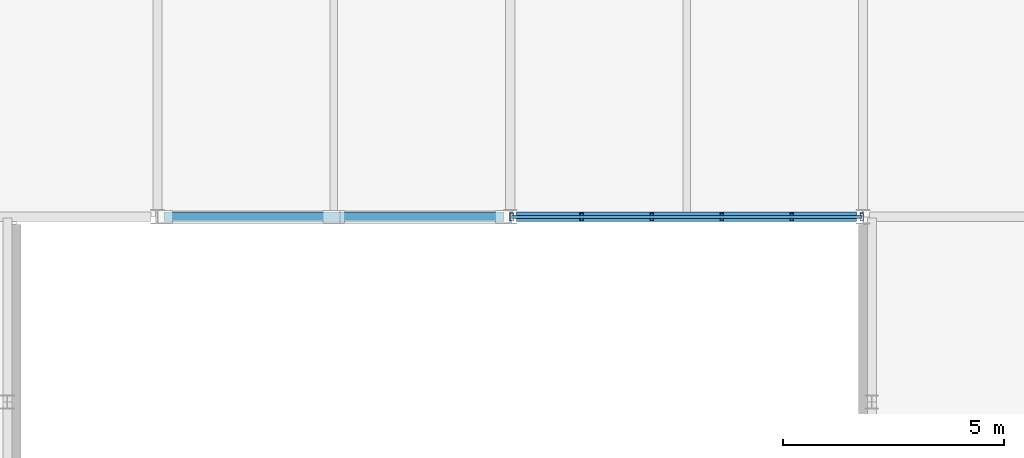
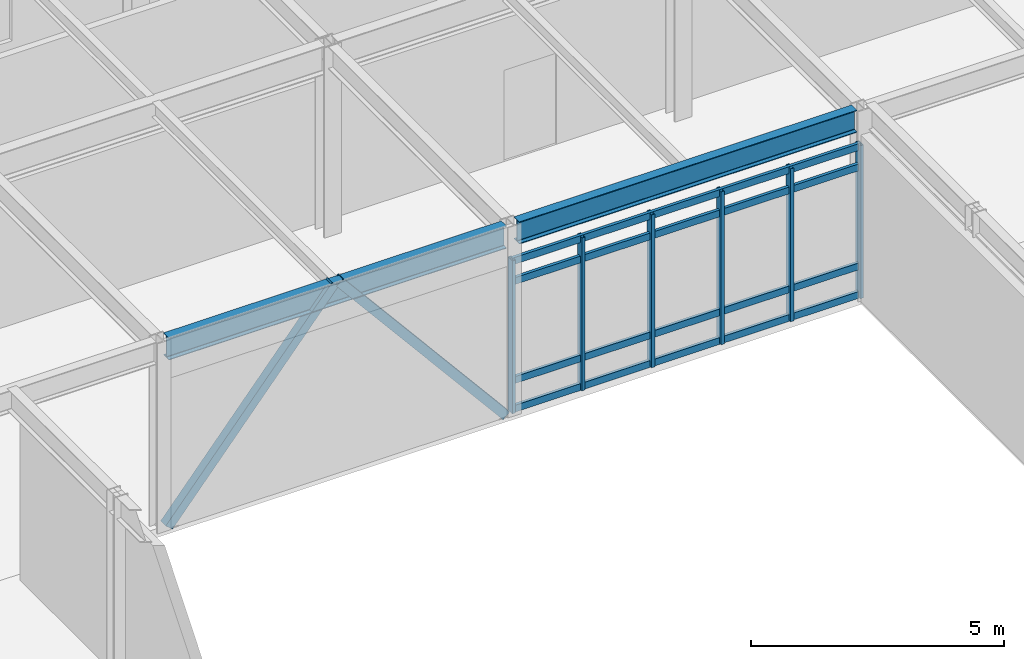
# One storey, part 31 of 104: 12 members, 2 beams, 1 element without a shape of its own.
"""IFC4 building model written with IfcOpenShell, lengths in metres."""

from ifc_helpers import new_model, si_unit, direction, frame, origin, origin_2d, place, context, subcontext, project, spatial, hollow_rectangle, i_section, extrude, material, material_profile, profile_set, type_object, element, aggregate, save


model = new_model("IFC4")

# Units and contexts
model_context = context("Model", 3, precision=1e-05, world=origin(), true_north=direction((0.0, 1.0)))
body_context = subcontext(model_context, "Body", "Model", "MODEL_VIEW")
ifc_project = project(units=[si_unit("LENGTHUNIT", "METRE"), si_unit("AREAUNIT", "SQUARE_METRE"), si_unit("VOLUMEUNIT", "CUBIC_METRE"), si_unit("PLANEANGLEUNIT", "RADIAN"), si_unit("MASSUNIT", "GRAM", prefix="KILO")], contexts=[model_context])

# Site, building, storey
site_placement = place(None, origin())
site = spatial("IfcSite", under=ifc_project, at=site_placement, CompositionType="ELEMENT")
building_placement = place(site_placement, origin())
building = spatial("IfcBuilding", under=site, at=building_placement, Name="Zulena Civic Courthouse", CompositionType="ELEMENT")
storey_placement = place(building_placement, frame((0.0, 0.0, 10.800048828125)))
storey = spatial("IfcBuildingStorey", under=building, at=storey_placement, Name="L02", CompositionType="ELEMENT", Elevation=10.800048828125)

# Members
ifc_material_1 = material(Name="Steel ASTM A500 Grade C", Category="steel")
ifc_material_profile_1 = material_profile(ifc_material_1, hollow_rectangle(XDim=0.202880859375, YDim=0.202880859375, WallThickness=0.01171875, at=origin_2d()), Name="HSS8X8X1/2")
ifc_profile_set_1 = profile_set([ifc_material_profile_1], Name="Steel ASTM A500 Grade C")
member_type_1 = type_object("IfcMemberType", Name="Brace_HSS8", PredefinedType="BRACE", material=ifc_profile_set_1)
for number, where, z_axis, x_axis, name in (
    (1, (36.14990234375, 46.0, 0.010009765625), (0.641014438311, 0.0, 0.767528820225), (0.0, 1.0, 0.0), "brace:V5:L02:5:0"),
    (2, (43.85009765625, 46.0, 0.010009765625), (-0.641014438311, 0.0, 0.767528820225), (0.0, -1.0, 0.0), "brace:V5:L02:5:1"),
):
    element("IfcMember", number, at=place(storey_placement, frame(where, z_axis=z_axis, x_axis=x_axis)), inside=storey, type_object=member_type_1, Name=name, PredefinedType="BRACE", context=body_context, shape_type="SweptSolid", body=[
        extrude(hollow_rectangle(XDim=0.202880859375, YDim=0.202880859375, WallThickness=0.01171875, at=origin_2d()), origin(), (0.0, 0.0, 1.0), 5.92822265625),
    ])

# Curtain wall, members
ifc_material_2 = material(Name="Double-silver low-E laminated solar-control glass", Category="glass")
curtain_wall_type = type_object("IfcCurtainWallType", Name="CW_7940x3690", PredefinedType="USERDEFINED", material=ifc_material_2)
curtain_wall_placement = place(storey_placement, origin())
curtain_wall = element("IfcCurtainWall", 3, at=curtain_wall_placement, inside=storey, type_object=curtain_wall_type, Name="cw:V5:L02:5:7", ObjectType="UNITISED CURTAIN WALL", PredefinedType="USERDEFINED")
ifc_material_3 = material(Name="Bronze anodised thermally broken aluminium AA6063-T6", Category="aluminium")
ifc_material_profile_2 = material_profile(ifc_material_3, hollow_rectangle(XDim=0.074951171875, YDim=0.179931640625, WallThickness=0.0048828125, at=origin_2d()), Name="CWM180X75X5")
ifc_profile_set_2 = profile_set([ifc_material_profile_2], Name="Bronze anodised thermally broken aluminium AA6063-T6")
member_type_2 = type_object("IfcMemberType", Name="CWMullion_180x75", PredefinedType="MULLION", material=ifc_profile_set_2)
member_1_placement = place(storey_placement, frame((51.969970703125, 46.0, 0.0), z_axis=(0.0, 0.0, 1.0), x_axis=(1.0, 0.0, 0.0)))
member_1 = element("IfcMember", 4, at=member_1_placement, type_object=member_type_2, Name="cw:V5:L02:5:7:mull:0", PredefinedType="MULLION", context=body_context, shape_type="SweptSolid", body=[
    extrude(hollow_rectangle(XDim=0.074951171875, YDim=0.179931640625, WallThickness=0.0048828125, at=origin_2d()), origin(), (0.0, 0.0, 1.0), 3.68994140625),
])
member_2_placement = place(storey_placement, frame((50.382080078125, 46.0, 0.0), z_axis=(0.0, 0.0, 1.0), x_axis=(1.0, 0.0, 0.0)))
member_2 = element("IfcMember", 5, at=member_2_placement, type_object=member_type_2, Name="cw:V5:L02:5:7:mull:1", PredefinedType="MULLION", context=body_context, shape_type="SweptSolid", body=[
    extrude(hollow_rectangle(XDim=0.074951171875, YDim=0.179931640625, WallThickness=0.0048828125, at=origin_2d()), origin(), (0.0, 0.0, 1.0), 3.68994140625),
])
member_3_placement = place(storey_placement, frame((48.7939453125, 46.0, 0.0), z_axis=(0.0, 0.0, 1.0), x_axis=(1.0, 0.0, 0.0)))
member_3 = element("IfcMember", 6, at=member_3_placement, type_object=member_type_2, Name="cw:V5:L02:5:7:mull:2", PredefinedType="MULLION", context=body_context, shape_type="SweptSolid", body=[
    extrude(hollow_rectangle(XDim=0.074951171875, YDim=0.179931640625, WallThickness=0.0048828125, at=origin_2d()), origin(), (0.0, 0.0, 1.0), 3.68994140625),
])
member_4_placement = place(storey_placement, frame((47.2060546875, 46.0, 0.0), z_axis=(0.0, 0.0, 1.0), x_axis=(1.0, 0.0, 0.0)))
member_4 = element("IfcMember", 7, at=member_4_placement, type_object=member_type_2, Name="cw:V5:L02:5:7:mull:3", PredefinedType="MULLION", context=body_context, shape_type="SweptSolid", body=[
    extrude(hollow_rectangle(XDim=0.074951171875, YDim=0.179931640625, WallThickness=0.0048828125, at=origin_2d()), origin(), (0.0, 0.0, 1.0), 3.68994140625),
])
member_5_placement = place(storey_placement, frame((45.617919921875, 46.0, 0.0), z_axis=(0.0, 0.0, 1.0), x_axis=(1.0, 0.0, 0.0)))
member_5 = element("IfcMember", 8, at=member_5_placement, type_object=member_type_2, Name="cw:V5:L02:5:7:mull:4", PredefinedType="MULLION", context=body_context, shape_type="SweptSolid", body=[
    extrude(hollow_rectangle(XDim=0.074951171875, YDim=0.179931640625, WallThickness=0.0048828125, at=origin_2d()), origin(), (0.0, 0.0, 1.0), 3.68994140625),
])
member_6_placement = place(storey_placement, frame((44.030029296875, 46.0, 0.0), z_axis=(0.0, 0.0, 1.0), x_axis=(1.0, 0.0, 0.0)))
member_6 = element("IfcMember", 9, at=member_6_placement, type_object=member_type_2, Name="cw:V5:L02:5:7:mull:5", PredefinedType="MULLION", context=body_context, shape_type="SweptSolid", body=[
    extrude(hollow_rectangle(XDim=0.074951171875, YDim=0.179931640625, WallThickness=0.0048828125, at=origin_2d()), origin(), (0.0, 0.0, 1.0), 3.68994140625),
])
ifc_material_profile_3 = material_profile(ifc_material_3, hollow_rectangle(XDim=0.070068359375, YDim=0.1650390625, WallThickness=0.00390625, at=origin_2d()), Name="CWT165X70X4")
ifc_profile_set_3 = profile_set([ifc_material_profile_3], Name="Bronze anodised thermally broken aluminium AA6063-T6")
member_type_3 = type_object("IfcMemberType", Name="CWTransom_165x70", PredefinedType="USERDEFINED", material=ifc_profile_set_3)
member_7_placement = place(storey_placement, frame((51.969970703125, 46.0, 0.06005859375), z_axis=(-1.0, 0.0, 0.0), x_axis=(0.0, -1.0, 0.0)))
member_7 = element("IfcMember", 10, at=member_7_placement, type_object=member_type_3, Name="cw:V5:L02:5:7:tran:0", ObjectType="TRANSOM", PredefinedType="USERDEFINED", context=body_context, shape_type="SweptSolid", body=[
    extrude(hollow_rectangle(XDim=0.070068359375, YDim=0.1650390625, WallThickness=0.00390625, at=origin_2d()), origin(), (0.0, 0.0, 1.0), 7.93994140625),
])
member_8_placement = place(storey_placement, frame((51.969970703125, 46.0, 0.75), z_axis=(-1.0, 0.0, 0.0), x_axis=(0.0, -1.0, 0.0)))
member_8 = element("IfcMember", 11, at=member_8_placement, type_object=member_type_3, Name="cw:V5:L02:5:7:tran:1", ObjectType="TRANSOM", PredefinedType="USERDEFINED", context=body_context, shape_type="SweptSolid", body=[
    extrude(hollow_rectangle(XDim=0.070068359375, YDim=0.1650390625, WallThickness=0.00390625, at=origin_2d()), origin(), (0.0, 0.0, 1.0), 7.93994140625),
])
member_9_placement = place(storey_placement, frame((51.969970703125, 46.0, 3.139892578125), z_axis=(-1.0, 0.0, 0.0), x_axis=(0.0, -1.0, 0.0)))
member_9 = element("IfcMember", 12, at=member_9_placement, type_object=member_type_3, Name="cw:V5:L02:5:7:tran:2", ObjectType="TRANSOM", PredefinedType="USERDEFINED", context=body_context, shape_type="SweptSolid", body=[
    extrude(hollow_rectangle(XDim=0.070068359375, YDim=0.1650390625, WallThickness=0.00390625, at=origin_2d()), origin(), (0.0, 0.0, 1.0), 7.93994140625),
])
member_10_placement = place(storey_placement, frame((51.969970703125, 46.0, 3.6298828125), z_axis=(-1.0, 0.0, 0.0), x_axis=(0.0, -1.0, 0.0)))
member_10 = element("IfcMember", 13, at=member_10_placement, type_object=member_type_3, Name="cw:V5:L02:5:7:tran:3", ObjectType="TRANSOM", PredefinedType="USERDEFINED", context=body_context, shape_type="SweptSolid", body=[
    extrude(hollow_rectangle(XDim=0.070068359375, YDim=0.1650390625, WallThickness=0.00390625, at=origin_2d()), origin(), (0.0, 0.0, 1.0), 7.93994140625),
])
aggregate(curtain_wall, [member_1, member_2, member_3, member_4, member_5, member_6, member_7, member_8, member_9, member_10])

# Beams
ifc_material_4 = material(Name="Steel ASTM A992 Grade 50", Category="steel")
ifc_material_profile_4 = material_profile(ifc_material_4, i_section(OverallWidth=0.2099609375, OverallDepth=0.537109375, WebThickness=0.010986328125, FlangeThickness=0.017333984375, FilletRadius=0.0126953125, at=origin_2d()), Name="W21X68")
ifc_profile_set_4 = profile_set([ifc_material_profile_4], Name="Steel ASTM A992 Grade 50")
beam_type = type_object("IfcBeamType", Name="Spandrel_W21X68", PredefinedType="SPANDREL", material=ifc_profile_set_4)
for number, where, z_axis, x_axis, name in (
    (14, (36.14501953125, 46.0, 4.321533203125), (1.0, 0.0, 0.0), (0.0, 1.0, 0.0), "beam:X:V5:L02:46.0:36.0_44.0"),
    (15, (44.14501953125, 46.0, 4.321533203125), (1.0, 0.0, 0.0), (0.0, 1.0, 0.0), "beam:X:V5:L02:46.0:44.0_52.0"),
):
    element("IfcBeam", number, at=place(storey_placement, frame(where, z_axis=z_axis, x_axis=x_axis)), inside=storey, type_object=beam_type, Name=name, PredefinedType="SPANDREL", context=body_context, shape_type="SweptSolid", body=[
        extrude(i_section(OverallWidth=0.2099609375, OverallDepth=0.537109375, WebThickness=0.010986328125, FlangeThickness=0.017333984375, FilletRadius=0.0126953125, at=origin_2d()), origin(), (0.0, 0.0, 1.0), 7.7099609375),
    ])

save(model, "model.ifc")
